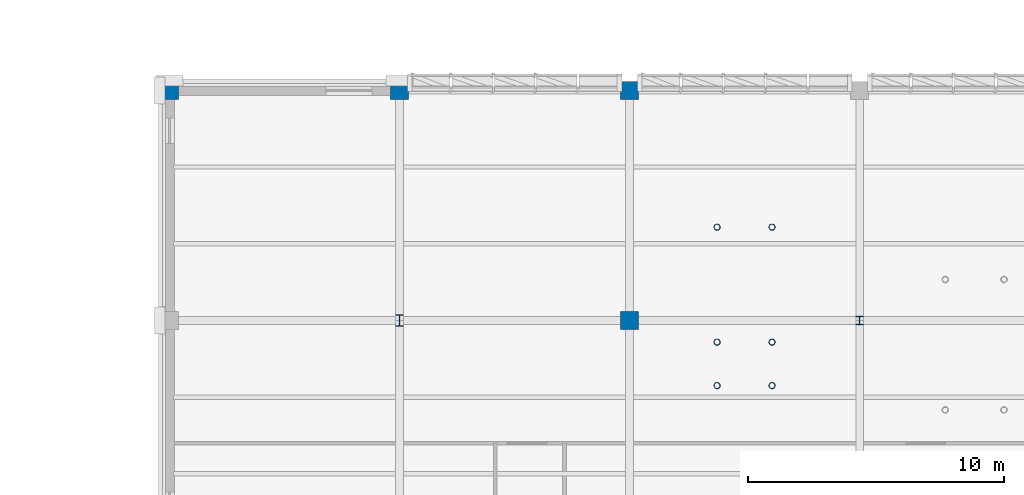
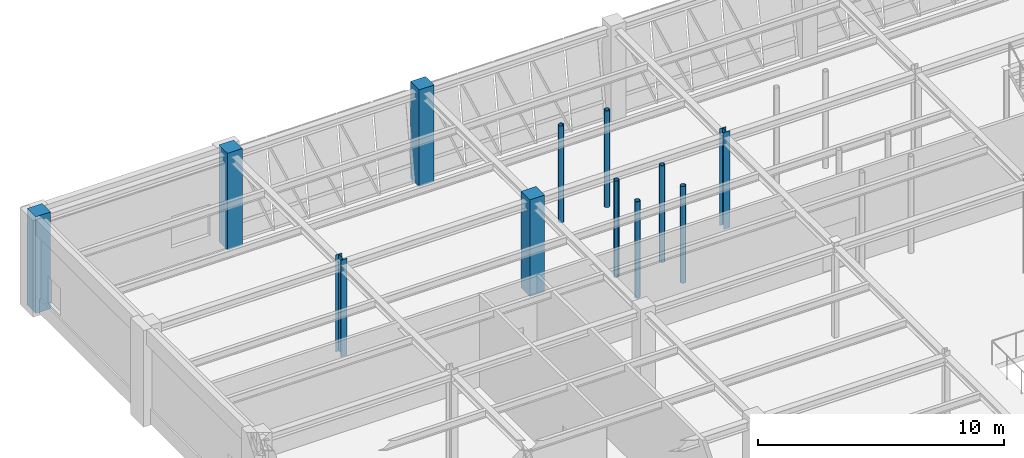
# One storey, part 9 of 92: 12 columns.
"""IFC4 building model written with IfcOpenShell, lengths in metres."""

from ifc_helpers import new_model, si_unit, direction, frame, origin, origin_2d, place, context, subcontext, project, spatial, rectangle, hollow_circle, i_section, extrude, material, material_profile, profile_set, type_object, element, save


model = new_model("IFC4")

# Units and contexts
model_context = context("Model", 3, precision=1e-05, world=origin(), true_north=direction((0.0, 1.0)))
body_context = subcontext(model_context, "Body", "Model", "MODEL_VIEW")
ifc_project = project(units=[si_unit("LENGTHUNIT", "METRE"), si_unit("AREAUNIT", "SQUARE_METRE"), si_unit("VOLUMEUNIT", "CUBIC_METRE"), si_unit("PLANEANGLEUNIT", "RADIAN"), si_unit("MASSUNIT", "GRAM", prefix="KILO")], contexts=[model_context])

# Site, building, storey
site_placement = place(None, origin())
site = spatial("IfcSite", under=ifc_project, at=site_placement, CompositionType="ELEMENT")
building_placement = place(site_placement, origin())
building = spatial("IfcBuilding", under=site, at=building_placement, Name="Lykobir Media Centre", CompositionType="ELEMENT")
storey_placement = place(building_placement, frame((0.0, 0.0, 5.39990234375)))
storey = spatial("IfcBuildingStorey", under=building, at=storey_placement, Name="L01", CompositionType="ELEMENT", Elevation=5.39990234375)

# Columns
ifc_material_1 = material(Name="Concrete C40/50", Category="concrete")
ifc_material_profile_1 = material_profile(ifc_material_1, rectangle(XDim=0.699951171875, YDim=0.699951171875, at=origin_2d()), Name="RC 700x700")
ifc_profile_set_1 = profile_set([ifc_material_profile_1], Name="Concrete C40/50")
column_type_1 = type_object("IfcColumnType", Name="RC-C700", PredefinedType="COLUMN", material=ifc_profile_set_1)
column_1_placement = place(storey_placement, frame((45.0, 99.0, 0.0), z_axis=(0.0, 0.0, 1.0), x_axis=(1.0, 0.0, 0.0)))
element("IfcColumn", 1, at=column_1_placement, inside=storey, type_object=column_type_1, Name="Column COL-L01-0450-0990", PredefinedType="COLUMN", context=body_context, shape_type="SweptSolid", body=[
    extrude(rectangle(XDim=0.699951171875, YDim=0.699951171875, at=origin_2d()), origin(), (0.0, 0.0, 1.0), 4.800048828125),
])
ifc_material_profile_2 = material_profile(ifc_material_1, rectangle(XDim=0.699951171875, YDim=0.699951171875, at=origin_2d()), Name="RC 700x700")
ifc_profile_set_2 = profile_set([ifc_material_profile_2], Name="Concrete C40/50")
column_type_2 = type_object("IfcColumnType", Name="RC-C700-E", PredefinedType="COLUMN", material=ifc_profile_set_2)
for number, where, z_axis, x_axis, name in (
    (2, (27.0, 108.0, 0.0), (0.0, 0.0, 1.0), (1.0, 0.0, 0.0), "Column COL-L01-0270-1080"),
    (3, (36.0, 108.0, 0.0), (0.0, 0.0, 1.0), (1.0, 0.0, 0.0), "Column COL-L01-0360-1080"),
    (4, (45.0, 108.0, 0.0), (0.0, 0.0, 1.0), (1.0, 0.0, 0.0), "Column COL-L01-0450-1080"),
):
    element("IfcColumn", number, at=place(storey_placement, frame(where, z_axis=z_axis, x_axis=x_axis)), inside=storey, type_object=column_type_2, Name=name, PredefinedType="COLUMN", context=body_context, shape_type="SweptSolid", body=[
        extrude(rectangle(XDim=0.699951171875, YDim=0.699951171875, at=origin_2d()), origin(), (0.0, 0.0, 1.0), 4.800048828125),
    ])
ifc_material_2 = material(Name="Steel S355", Category="steel")
ifc_material_profile_3 = material_profile(ifc_material_2, hollow_circle(Radius=0.122314453125, WallThickness=0.012451171875, at=origin_2d()), Name="CHS 244.5x12.5")
ifc_profile_set_3 = profile_set([ifc_material_profile_3], Name="Steel S355")
column_type_3 = type_object("IfcColumnType", Name="SC-CHS244", PredefinedType="COLUMN", material=ifc_profile_set_3)
for number, where, z_axis, x_axis, name in (
    (5, (48.425048828125, 96.449951171875, 0.0), (0.0, 0.0, 1.0), (1.0, 0.0, 0.0), "Valley stair column L01 4-484-964"),
    (6, (48.425048828125, 98.14990234375, 0.0), (0.0, 0.0, 1.0), (1.0, 0.0, 0.0), "Valley stair column L01 4-484-982"),
    (7, (50.574951171875, 96.449951171875, 0.0), (0.0, 0.0, 1.0), (1.0, 0.0, 0.0), "Valley stair column L01 4-506-964"),
    (8, (50.574951171875, 98.14990234375, 0.0), (0.0, 0.0, 1.0), (1.0, 0.0, 0.0), "Valley stair column L01 4-506-982"),
    (9, (48.425048828125, 102.64990234375, 0.0), (0.0, 0.0, 1.0), (1.0, 0.0, 0.0), "Valley arrival column L01 A4-484"),
    (10, (50.574951171875, 102.64990234375, 0.0), (0.0, 0.0, 1.0), (1.0, 0.0, 0.0), "Valley arrival column L01 A4-506"),
):
    element("IfcColumn", number, at=place(storey_placement, frame(where, z_axis=z_axis, x_axis=x_axis)), inside=storey, type_object=column_type_3, Name=name, PredefinedType="COLUMN", context=body_context, shape_type="SweptSolid", body=[
        extrude(hollow_circle(Radius=0.122314453125, WallThickness=0.012451171875, at=origin_2d()), origin(), (0.0, 0.0, 1.0), 4.800048828125),
    ])
ifc_material_profile_4 = material_profile(ifc_material_2, i_section(OverallWidth=0.300048828125, OverallDepth=0.340087890625, WebThickness=0.011962890625, FlangeThickness=0.021484375, at=origin_2d()), Name="HEB 340")
ifc_profile_set_4 = profile_set([ifc_material_profile_4], Name="Steel S355")
column_type_4 = type_object("IfcColumnType", Name="SC-HEB340", PredefinedType="COLUMN", material=ifc_profile_set_4)
column_2_placement = place(storey_placement, frame((54.0, 99.0, 0.0), z_axis=(0.0, 0.0, 1.0), x_axis=(1.0, 0.0, 0.0)))
element("IfcColumn", 11, at=column_2_placement, inside=storey, type_object=column_type_4, Name="Column COL-L01-0540-0990", PredefinedType="COLUMN", context=body_context, shape_type="SweptSolid", body=[
    extrude(i_section(OverallWidth=0.300048828125, OverallDepth=0.340087890625, WebThickness=0.011962890625, FlangeThickness=0.021484375, at=origin_2d()), origin(), (0.0, 0.0, 1.0), 4.800048828125),
])
ifc_material_profile_5 = material_profile(ifc_material_2, i_section(OverallWidth=0.300048828125, OverallDepth=0.449951171875, WebThickness=0.013916015625, FlangeThickness=0.02587890625, at=origin_2d()), Name="HEB 450")
ifc_profile_set_5 = profile_set([ifc_material_profile_5], Name="Steel S355")
column_type_5 = type_object("IfcColumnType", Name="SC-HEB450", PredefinedType="COLUMN", material=ifc_profile_set_5)
column_3_placement = place(storey_placement, frame((36.0, 99.0, 0.0), z_axis=(0.0, 0.0, 1.0), x_axis=(1.0, 0.0, 0.0)))
element("IfcColumn", 12, at=column_3_placement, inside=storey, type_object=column_type_5, Name="Column COL-L01-0360-0990", PredefinedType="COLUMN", context=body_context, shape_type="SweptSolid", body=[
    extrude(i_section(OverallWidth=0.300048828125, OverallDepth=0.449951171875, WebThickness=0.013916015625, FlangeThickness=0.02587890625, at=origin_2d()), origin(), (0.0, 0.0, 1.0), 4.800048828125),
])

save(model, "model.ifc")
